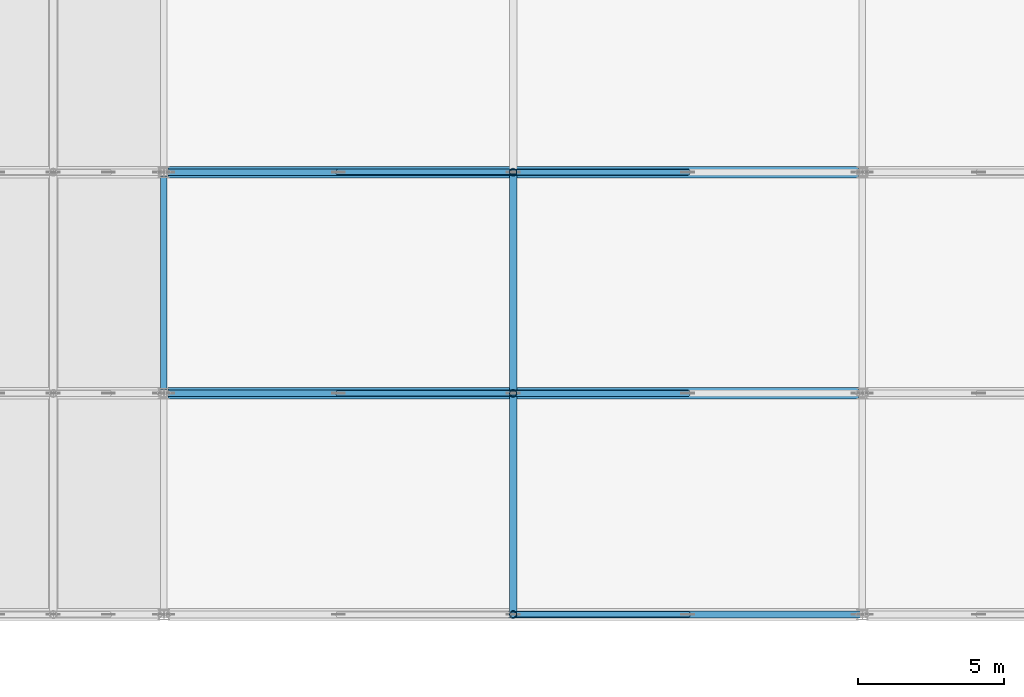
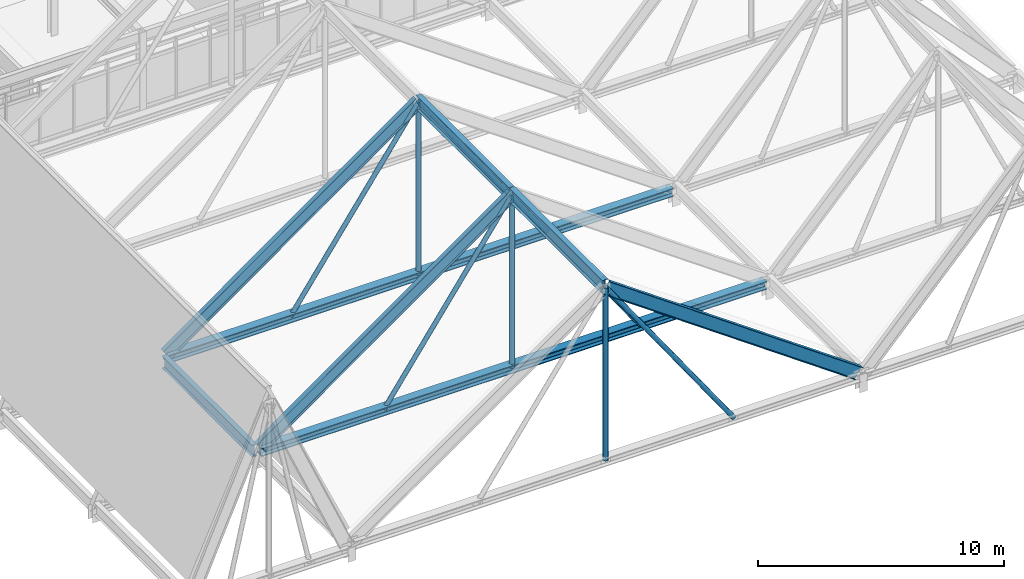
# One storey, part 52 of 100: 10 members, 6 beams.
"""IFC4 building model written with IfcOpenShell, lengths in metres."""

import ifcopenshell
import ifcopenshell.guid

model = None  # the IFC model being written
_history = None  # IfcOwnerHistory: only IFC2X3 demands one
_inside = {}  # id of a spatial element -> (the spatial element, [elements in it])
_under = {}  # id of a project, library or spatial element -> (it, [spatial elements below it])
_declared = {}  # id of a project -> (the project, [libraries it declares])
_typed = {}  # id of a type object -> (the type object, [elements of that type])
_made_of = {}  # id of a material, layer set ... -> (it, [elements and type objects made of it])


def new_model(schema):
    """Start an empty IFC model of exactly this schema.

    Asked for "IFC4X3", IfcOpenShell would pick the latest addendum, in which some entities
    have other attributes; the version numbers below select the first issue.
    IFC2X3 requires an IfcOwnerHistory on every rooted entity: one is made here for all.
    """
    global model, _history
    if schema == "IFC4X3":
        model = ifcopenshell.file(schema_version=(4, 3, 0, 0))
    else:
        model = ifcopenshell.file(schema=schema)
    _inside.clear()
    _under.clear()
    _declared.clear()
    _typed.clear()
    _made_of.clear()
    _history = None
    if model.schema == "IFC2X3":
        org = make("IfcOrganization", Name="unknown")
        user = make(
            "IfcPersonAndOrganization",
            ThePerson=make("IfcPerson", FamilyName="unknown"),
            TheOrganization=org,
        )
        app = make(
            "IfcApplication",
            ApplicationDeveloper=org,
            Version="unknown",
            ApplicationFullName="unknown",
            ApplicationIdentifier="unknown",
        )
        _history = make(
            "IfcOwnerHistory",
            OwningUser=user,
            OwningApplication=app,
            ChangeAction="ADDED",
            CreationDate=0,
        )
    return model


def make(cls, **values):
    """One entity of the class cls with the attributes given. An attribute that is None is left unset."""
    return model.create_entity(
        cls, **{name: value for name, value in values.items() if value is not None}
    )


def rooted(cls, **values):
    """An entity with a GlobalId (a new one), such as an element, a storey or a relation."""
    return make(cls, GlobalId=ifcopenshell.guid.new(), OwnerHistory=_history, **values)


def si_unit(unit_type, name, prefix=None):
    """IfcSIUnit, for example si_unit("LENGTHUNIT", "METRE", prefix="MILLI")."""
    return make("IfcSIUnit", UnitType=unit_type, Prefix=prefix, Name=name)


def assignment(units):
    """IfcUnitAssignment: the units of a project."""
    return None if units is None else make("IfcUnitAssignment", Units=units)


def point(xyz):
    """IfcCartesianPoint."""
    return None if xyz is None else make("IfcCartesianPoint", Coordinates=xyz)


def direction(xyz):
    """IfcDirection."""
    return None if xyz is None else make("IfcDirection", DirectionRatios=xyz)


def frame(location, z_axis=None, x_axis=None):
    """IfcAxis2Placement3D, a coordinate frame: its origin and axes. An axis left out is left unset."""
    return make(
        "IfcAxis2Placement3D",
        Location=point(location),
        Axis=direction(z_axis),
        RefDirection=direction(x_axis),
    )


def frame_2d(location, x_axis=None):
    """IfcAxis2Placement2D, a coordinate frame in the plane: its origin and x axis."""
    return make(
        "IfcAxis2Placement2D", Location=point(location), RefDirection=direction(x_axis)
    )


def origin():
    """The frame at (0, 0, 0) with its axes left unset."""
    return frame((0.0, 0.0, 0.0))


def origin_2d():
    """The frame at (0, 0) in the plane with its x axis left unset."""
    return frame_2d((0.0, 0.0))


def place(relative_to, where):
    """IfcLocalPlacement: puts the frame where relative to a parent placement (None: the world)."""
    return make(
        "IfcLocalPlacement", PlacementRelTo=relative_to, RelativePlacement=where
    )


def context(
    kind, dimensions, precision=None, world=None, true_north=None, identifier=None
):
    """IfcGeometricRepresentationContext, for example the 3D "Model" context."""
    return make(
        "IfcGeometricRepresentationContext",
        ContextIdentifier=identifier,
        ContextType=kind,
        CoordinateSpaceDimension=dimensions,
        Precision=precision,
        WorldCoordinateSystem=world,
        TrueNorth=true_north,
    )


def subcontext(parent, identifier, kind, view, scale=None):
    """IfcGeometricRepresentationSubContext, for example "Body" below "Model"."""
    return make(
        "IfcGeometricRepresentationSubContext",
        ContextIdentifier=identifier,
        ContextType=kind,
        ParentContext=parent,
        TargetScale=scale,
        TargetView=view,
    )


def project(units=None, contexts=None):
    """IfcProject with its units and contexts."""
    return rooted(
        "IfcProject",
        Name="project",
        RepresentationContexts=contexts,
        UnitsInContext=assignment(units),
    )


def spatial(cls, under=None, at=None, **own):
    """A site, building, storey or space (cls), placed at a placement, below another one or the project."""
    s = rooted(cls, ObjectPlacement=at, **own)
    if under is not None:
        _under.setdefault(under.id(), (under, []))[1].append(s)
    return s


def profile(cls, at=None, kind="AREA", **sizes):
    """A parametric profile (cls). Its sizes go by their IFC names, for example OverallWidth=200.0."""
    return make(cls, ProfileType=kind, Position=at, **sizes)


def hollow_circle(**sizes):
    """IfcCircleHollowProfileDef."""
    return profile("IfcCircleHollowProfileDef", **sizes)


def i_section(**sizes):
    """IfcIShapeProfileDef."""
    return profile("IfcIShapeProfileDef", **sizes)


def extrude(swept, where, along, depth):
    """IfcExtrudedAreaSolid: the profile swept, set in the frame where, extruded along a direction by depth."""
    return make(
        "IfcExtrudedAreaSolid",
        SweptArea=swept,
        Position=where,
        ExtrudedDirection=direction(along),
        Depth=depth,
    )


def shape(context_of_items, identifier, shape_type, items):
    """IfcShapeRepresentation: the items that make up one representation, for example the "Body"."""
    return make(
        "IfcShapeRepresentation",
        ContextOfItems=context_of_items,
        RepresentationIdentifier=identifier,
        RepresentationType=shape_type,
        Items=items,
    )


def material(Name=None, Category=None):
    """IfcMaterial."""
    return make("IfcMaterial", Name=Name, Category=Category)


def material_profile(
    of_material, cross_section, Name=None, Category=None, Priority=None
):
    """IfcMaterialProfile: a cross section and its material."""
    return make(
        "IfcMaterialProfile",
        Name=Name,
        Material=of_material,
        Profile=cross_section,
        Priority=Priority,
        Category=Category,
    )


def profile_set(profiles, Name=None, composite=None):
    """IfcMaterialProfileSet."""
    return make(
        "IfcMaterialProfileSet",
        Name=Name,
        MaterialProfiles=profiles,
        CompositeProfile=composite,
    )


def made_of(thing, what):
    """Note that an element or type object is made of a material, layer set ...; save() writes the relation."""
    if what is not None:
        _made_of.setdefault(what.id(), (what, []))[1].append(thing)
    return thing


def type_object(cls, material=None, **own):
    """A type object (cls), such as IfcWallType, which elements share."""
    return made_of(rooted(cls, **own), material)


def element(
    cls,
    number,
    at=None,
    inside=None,
    cuts=None,
    type_object=None,
    material=None,
    context=None,
    identifier="Body",
    shape_type=None,
    held_by="IfcProductDefinitionShape",
    body=None,
    shapes=None,
    **own,
):
    """One element of the class cls, such as IfcWall. Its Tag is "e" and its number.

    at: its placement. inside: the storey or other place that contains it. cuts: it is an
    opening in that element (IfcRelVoidsElement). A single representation is given by context,
    identifier, shape_type and body (its items); several are given by shapes. held_by: the class
    of the entity that holds the representations. save() writes the other relations.
    """
    e = rooted(cls, Tag="e%d" % number, ObjectPlacement=at, **own)
    if body is not None:
        shapes = [shape(context, identifier, shape_type, body)]
    if shapes is not None:
        e.Representation = make(held_by, Representations=shapes)
    if inside is not None:
        _inside.setdefault(inside.id(), (inside, []))[1].append(e)
    if cuts is not None:
        rooted(
            "IfcRelVoidsElement", RelatingBuildingElement=cuts, RelatedOpeningElement=e
        )
    if type_object is not None:
        _typed.setdefault(type_object.id(), (type_object, []))[1].append(e)
    return made_of(e, material)


def aggregate(whole, parts):
    """IfcRelAggregates: a whole, such as a stair, and the parts it consists of."""
    return rooted("IfcRelAggregates", RelatingObject=whole, RelatedObjects=parts)


def save(model, path):
    """Write the relations noted so far, then the file.

    IfcRelAggregates (storeys below a building ...), IfcRelContainedInSpatialStructure (elements
    in a storey), IfcRelDefinesByType, IfcRelAssociatesMaterial and IfcRelDeclares: one each for
    every whole, place, type object, material and project.
    """
    for whole, parts in _under.values():
        aggregate(whole, parts)
    for where, things in _inside.values():
        rooted(
            "IfcRelContainedInSpatialStructure",
            RelatedElements=things,
            RelatingStructure=where,
        )
    for kind, things in _typed.values():
        rooted("IfcRelDefinesByType", RelatedObjects=things, RelatingType=kind)
    for what, things in _made_of.values():
        rooted("IfcRelAssociatesMaterial", RelatedObjects=things, RelatingMaterial=what)
    for by, libraries in _declared.values():
        rooted("IfcRelDeclares", RelatingContext=by, RelatedDefinitions=libraries)
    model.write(path)


model = new_model("IFC4")

# Units and contexts
model_context = context("Model", 3, precision=1e-05, world=origin(), true_north=direction((0.0, 1.0)))
body_context = subcontext(model_context, "Body", "Model", "MODEL_VIEW")
ifc_project = project(units=[si_unit("LENGTHUNIT", "METRE"), si_unit("AREAUNIT", "SQUARE_METRE"), si_unit("VOLUMEUNIT", "CUBIC_METRE"), si_unit("PLANEANGLEUNIT", "RADIAN"), si_unit("MASSUNIT", "GRAM", prefix="KILO")], contexts=[model_context])

# Site, building, storey
site_placement = place(None, origin())
site = spatial("IfcSite", under=ifc_project, at=site_placement, CompositionType="ELEMENT")
building_placement = place(site_placement, origin())
building = spatial("IfcBuilding", under=site, at=building_placement, Name="Zulena Civic Courthouse", CompositionType="ELEMENT")
storey_placement = place(building_placement, frame((0.0, 0.0, 20.39990234375)))
storey = spatial("IfcBuildingStorey", under=building, at=storey_placement, Name="L04", CompositionType="ELEMENT", Elevation=20.39990234375)

# Members
ifc_material_1 = material(Name="Steel ASTM A992 Grade 50", Category="steel")
ifc_material_profile_1 = material_profile(ifc_material_1, i_section(OverallWidth=0.40087890625, OverallDepth=0.39892578125, WebThickness=0.02490234375, FlangeThickness=0.03955078125, FilletRadius=0.01513671875, at=origin_2d()), Name="W14X211")
ifc_profile_set_1 = profile_set([ifc_material_profile_1], Name="Steel ASTM A992 Grade 50")
member_type_1 = type_object("IfcMemberType", Name="Chord_W14X211", PredefinedType="CHORD", material=ifc_profile_set_1)
for number, where, z_axis, x_axis, name in (
    (1, (132.139892578125, 7.60009765625, 0.536376953125), (1.0, 0.0, 0.0), (0.0, 1.0, 0.0), "mem:fold:tie:06:7.6"),
    (2, (132.139892578125, 15.199951171875, 0.536376953125), (1.0, 0.0, 0.0), (0.0, 1.0, 0.0), "mem:fold:tie:06:15.2"),
):
    element("IfcMember", number, at=place(storey_placement, frame(where, z_axis=z_axis, x_axis=x_axis)), inside=storey, type_object=member_type_1, Name=name, PredefinedType="CHORD", context=body_context, shape_type="SweptSolid", body=[
        extrude(i_section(OverallWidth=0.40087890625, OverallDepth=0.39892578125, WebThickness=0.02490234375, FlangeThickness=0.03955078125, FilletRadius=0.01513671875, at=origin_2d()), origin(), (0.0, 0.0, 1.0), 23.72021484375),
    ])

# Beams
ifc_material_profile_2 = material_profile(ifc_material_1, i_section(OverallWidth=0.22802734375, OverallDepth=0.60693359375, WebThickness=0.01123046875, FlangeThickness=0.017333984375, FilletRadius=0.0126953125, at=origin_2d()), Name="W24X76")
ifc_profile_set_2 = profile_set([ifc_material_profile_2], Name="Steel ASTM A992 Grade 50")
beam_type_1 = type_object("IfcBeamType", Name="RoofRafter_W24X76", PredefinedType="BEAM", material=ifc_profile_set_2)
beam_1_placement = place(storey_placement, frame((132.0, 7.739990234375, 0.485595703125), z_axis=(0.0, 1.0, 0.0), x_axis=(-1.0, 0.0, 0.0)))
element("IfcBeam", 3, at=beam_1_placement, inside=storey, type_object=beam_type_1, Name="beam:fold:val:L04:132.0:7.6", PredefinedType="BEAM", context=body_context, shape_type="SweptSolid", body=[
    extrude(i_section(OverallWidth=0.22802734375, OverallDepth=0.60693359375, WebThickness=0.01123046875, FlangeThickness=0.017333984375, FilletRadius=0.0126953125, at=origin_2d()), origin(), (0.0, 0.0, 1.0), 7.320068359375),
])
for number, where, z_axis, x_axis, name in (
    (4, (144.010009765625, 0.0, 9.096435546875), (0.815826895682, 0.0, -0.578296183873), (0.0, 1.0, 0.0), "beam:fold:rafE:06:0.0"),
    (5, (132.139892578125, 7.60009765625, 0.696533203125), (0.815826895682, 0.0, 0.578296183873), (0.0, 1.0, 0.0), "beam:fold:rafW:06:7.6"),
    (6, (132.139892578125, 15.199951171875, 0.696533203125), (0.815826895682, 0.0, 0.578296183873), (0.0, 1.0, 0.0), "beam:fold:rafW:06:15.2"),
):
    element("IfcBeam", number, at=place(storey_placement, frame(where, z_axis=z_axis, x_axis=x_axis)), inside=storey, type_object=beam_type_1, Name=name, PredefinedType="BEAM", context=body_context, shape_type="SweptSolid", body=[
        extrude(i_section(OverallWidth=0.22802734375, OverallDepth=0.60693359375, WebThickness=0.01123046875, FlangeThickness=0.017333984375, FilletRadius=0.0126953125, at=origin_2d()), origin(), (0.0, 0.0, 1.0), 14.525146484375),
    ])
ifc_material_profile_3 = material_profile(ifc_material_1, i_section(OverallWidth=0.25390625, OverallDepth=0.68798828125, WebThickness=0.01318359375, FlangeThickness=0.02099609375, FilletRadius=0.0166015625, at=origin_2d()), Name="W27X102")
ifc_profile_set_3 = profile_set([ifc_material_profile_3], Name="Steel ASTM A992 Grade 50")
beam_type_2 = type_object("IfcBeamType", Name="RoofRafter_W27X102", PredefinedType="BEAM", material=ifc_profile_set_3)
beam_2_placement = place(storey_placement, frame((144.0, 0.02001953125, 9.096435546875), z_axis=(0.0, 1.0, 0.0), x_axis=(-1.0, 0.0, 0.0)))
element("IfcBeam", 7, at=beam_2_placement, inside=storey, type_object=beam_type_2, Name="beam:fold:ridge:06:0.0", PredefinedType="BEAM", context=body_context, shape_type="SweptSolid", body=[
    extrude(i_section(OverallWidth=0.25390625, OverallDepth=0.68798828125, WebThickness=0.01318359375, FlangeThickness=0.02099609375, FilletRadius=0.0166015625, at=origin_2d()), origin(), (0.0, 0.0, 1.0), 7.56005859375),
])
beam_3_placement = place(storey_placement, frame((144.0, 7.6201171875, 9.096435546875), z_axis=(0.0, 1.0, 0.0), x_axis=(-1.0, 0.0, 0.0)))
element("IfcBeam", 8, at=beam_3_placement, inside=storey, type_object=beam_type_2, Name="beam:fold:ridge:06:7.6", PredefinedType="BEAM", context=body_context, shape_type="SweptSolid", body=[
    extrude(i_section(OverallWidth=0.25390625, OverallDepth=0.68798828125, WebThickness=0.01318359375, FlangeThickness=0.02099609375, FilletRadius=0.0166015625, at=origin_2d()), origin(), (0.0, 0.0, 1.0), 7.559814453125),
])

# Members
ifc_material_2 = material(Name="Steel ASTM A500 Grade C", Category="steel")
ifc_material_profile_4 = material_profile(ifc_material_2, hollow_circle(Radius=0.126953125, WallThickness=0.01171875, at=origin_2d()), Name="HSS10.000X0.500")
ifc_profile_set_4 = profile_set([ifc_material_profile_4], Name="Steel ASTM A500 Grade C")
member_type_2 = type_object("IfcMemberType", Name="RoofWeb_CHS10", PredefinedType="USERDEFINED", material=ifc_profile_set_4)
for number, where, z_axis, x_axis, name in (
    (9, (144.0, 0.0, 0.536376953125), (0.0, 0.0, 1.0), (1.0, 0.0, 0.0), "mem:fold:king:06:0.0"),
    (10, (144.0, 7.60009765625, 0.536376953125), (0.0, 0.0, 1.0), (1.0, 0.0, 0.0), "mem:fold:king:06:7.6"),
    (11, (144.0, 15.199951171875, 0.536376953125), (0.0, 0.0, 1.0), (1.0, 0.0, 0.0), "mem:fold:king:06:15.2"),
):
    element("IfcMember", number, at=place(storey_placement, frame(where, z_axis=z_axis, x_axis=x_axis)), inside=storey, type_object=member_type_2, Name=name, ObjectType="ROOF TRUSS", PredefinedType="USERDEFINED", context=body_context, shape_type="SweptSolid", body=[
        extrude(hollow_circle(Radius=0.126953125, WallThickness=0.01171875, at=origin_2d()), origin(), (0.0, 0.0, 1.0), 8.56005859375),
    ])
ifc_material_profile_5 = material_profile(ifc_material_2, hollow_circle(Radius=0.109619140625, WallThickness=0.0087890625, at=origin_2d()), Name="HSS8.625X0.375")
ifc_profile_set_5 = profile_set([ifc_material_profile_5], Name="Steel ASTM A500 Grade C")
member_type_3 = type_object("IfcMemberType", Name="RoofWeb_CHS8", PredefinedType="USERDEFINED", material=ifc_profile_set_5)
for number, where, z_axis, x_axis, name in (
    (12, (150.0, 0.0, 0.536376953125), (-0.573973222061, 0.0, 0.81887406868), (0.0, -1.0, 0.0), "mem:fold:diagE:06:0.0"),
    (13, (138.0, 7.60009765625, 0.536376953125), (0.573973222061, 0.0, 0.81887406868), (0.0, 1.0, 0.0), "mem:fold:diagW:06:7.6"),
    (14, (150.0, 7.60009765625, 0.536376953125), (-0.573973222061, 0.0, 0.81887406868), (0.0, -1.0, 0.0), "mem:fold:diagE:06:7.6"),
    (15, (138.0, 15.199951171875, 0.536376953125), (0.573973222061, 0.0, 0.81887406868), (0.0, 1.0, 0.0), "mem:fold:diagW:06:15.2"),
    (16, (150.0, 15.199951171875, 0.536376953125), (-0.573973222061, 0.0, 0.81887406868), (0.0, -1.0, 0.0), "mem:fold:diagE:06:15.2"),
):
    element("IfcMember", number, at=place(storey_placement, frame(where, z_axis=z_axis, x_axis=x_axis)), inside=storey, type_object=member_type_3, Name=name, ObjectType="ROOF TRUSS", PredefinedType="USERDEFINED", context=body_context, shape_type="SweptSolid", body=[
        extrude(hollow_circle(Radius=0.109619140625, WallThickness=0.0087890625, at=origin_2d()), origin(), (0.0, 0.0, 1.0), 10.453369140625),
    ])

save(model, "model.ifc")
